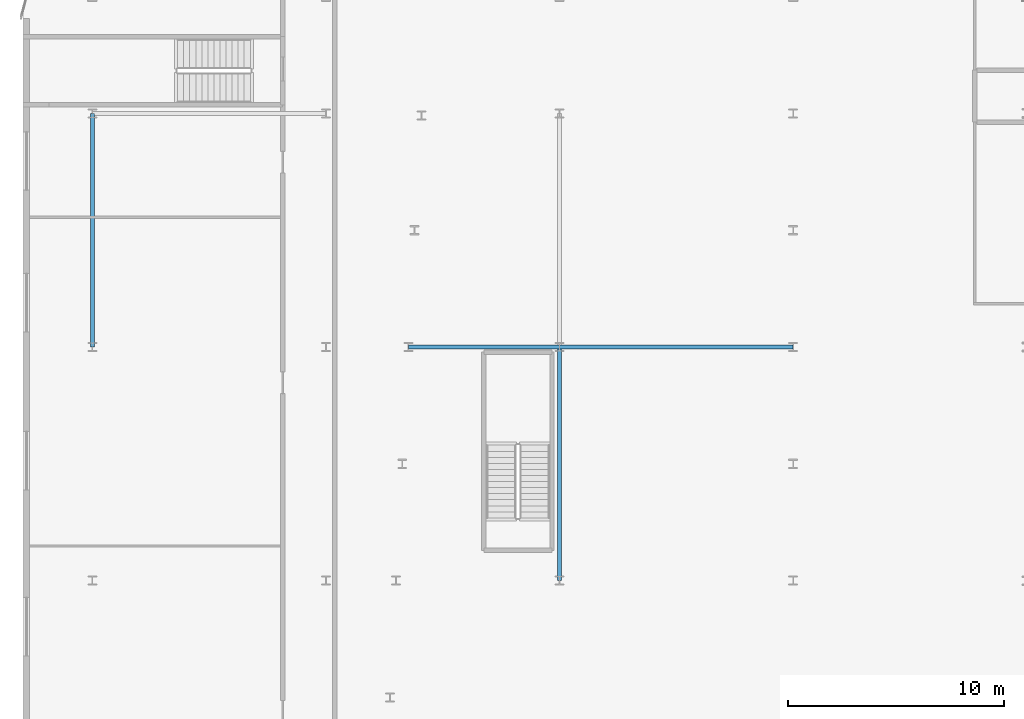
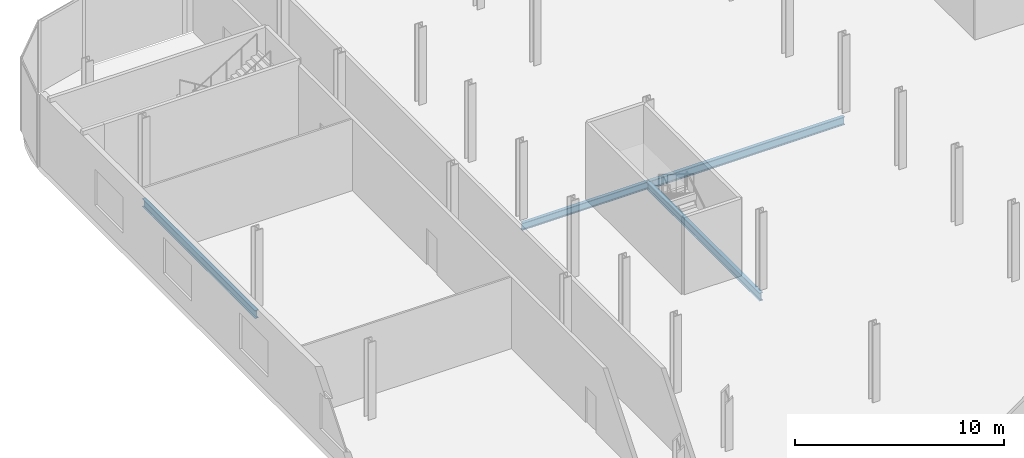
# One storey, part 15 of 47: 4 beams.
"""IFC4 building model written with IfcOpenShell, lengths in metres."""

from ifc_helpers import new_model, si_unit, direction, frame, origin, origin_2d, place, context, subcontext, project, spatial, i_section, extrude, material, material_profile, profile_set, type_object, element, save


model = new_model("IFC4")

# Units and contexts
model_context = context("Model", 3, precision=1e-05, world=origin(), true_north=direction((0.0, 1.0)))
body_context = subcontext(model_context, "Body", "Model", "MODEL_VIEW")
ifc_project = project(units=[si_unit("LENGTHUNIT", "METRE"), si_unit("AREAUNIT", "SQUARE_METRE"), si_unit("VOLUMEUNIT", "CUBIC_METRE"), si_unit("PLANEANGLEUNIT", "RADIAN"), si_unit("MASSUNIT", "GRAM", prefix="KILO")], contexts=[model_context])

# Site, building, storey
site_placement = place(None, origin())
site = spatial("IfcSite", under=ifc_project, at=site_placement, CompositionType="ELEMENT")
building_placement = place(site_placement, origin())
building = spatial("IfcBuilding", under=site, at=building_placement, Name="Kheshtan School and Residences Tower", CompositionType="ELEMENT")
storey_placement = place(building_placement, frame((0.0, 0.0, 21.5)))
storey = spatial("IfcBuildingStorey", under=building, at=storey_placement, Name="L04", CompositionType="ELEMENT", Elevation=21.5)

# Beams
ifc_material = material(Name="Steel ASTM A992 Grade 50", Category="steel")
ifc_material_profile_1 = material_profile(ifc_material, i_section(OverallWidth=0.180908203125, OverallDepth=0.4169921875, WebThickness=0.010986328125, FlangeThickness=0.018310546875, FilletRadius=0.012451171875, at=origin_2d()), Name="W410x85")
ifc_profile_set_1 = profile_set([ifc_material_profile_1], Name="Steel ASTM A992 Grade 50")
beam_type_1 = type_object("IfcBeamType", Name="Beam PB1 W410x85 ASTM A992 Grade 50", PredefinedType="BEAM", material=ifc_profile_set_1)
beam_placement = place(storey_placement, frame((29.81005859375, 88.800048828125, -0.528564453125), z_axis=(1.0, 0.0, 0.0), x_axis=(0.0, 1.0, 0.0)))
element("IfcBeam", 1, at=beam_placement, inside=storey, type_object=beam_type_1, Name="Podium floor beam PB1", PredefinedType="BEAM", context=body_context, shape_type="SweptSolid", body=[
    extrude(i_section(OverallWidth=0.180908203125, OverallDepth=0.4169921875, WebThickness=0.010986328125, FlangeThickness=0.018310546875, FilletRadius=0.012451171875, at=origin_2d()), origin(), (0.0, 0.0, 1.0), 6.989990234375),
])
ifc_material_profile_2 = material_profile(ifc_material, i_section(OverallWidth=0.194091796875, OverallDepth=0.468994140625, WebThickness=0.0126953125, FlangeThickness=0.0205078125, FilletRadius=0.01416015625, at=origin_2d()), Name="W460x106")
ifc_profile_set_2 = profile_set([ifc_material_profile_2], Name="Steel ASTM A992 Grade 50")
beam_type_2 = type_object("IfcBeamType", Name="Beam PB2 W460x106 ASTM A992 Grade 50", PredefinedType="BEAM", material=ifc_profile_set_2)
for number, where, z_axis, x_axis, name in (
    (2, (15.199951171875, 88.800048828125, -0.554443359375), (0.0, 1.0, 0.0), (-1.0, 0.0, 0.0), "Podium floor beam PB2"),
    (3, (36.800048828125, 78.0, -0.554443359375), (0.0, 1.0, 0.0), (-1.0, 0.0, 0.0), "Podium floor beam PB2"),
    (4, (36.800048828125, 88.800048828125, -0.554443359375), (1.0, 0.0, 0.0), (0.0, 1.0, 0.0), "Podium floor beam PB2"),
):
    element("IfcBeam", number, at=place(storey_placement, frame(where, z_axis=z_axis, x_axis=x_axis)), inside=storey, type_object=beam_type_2, Name=name, PredefinedType="BEAM", context=body_context, shape_type="SweptSolid", body=[
        extrude(i_section(OverallWidth=0.194091796875, OverallDepth=0.468994140625, WebThickness=0.0126953125, FlangeThickness=0.0205078125, FilletRadius=0.01416015625, at=origin_2d()), origin(), (0.0, 0.0, 1.0), 10.800048828125),
    ])

save(model, "model.ifc")
